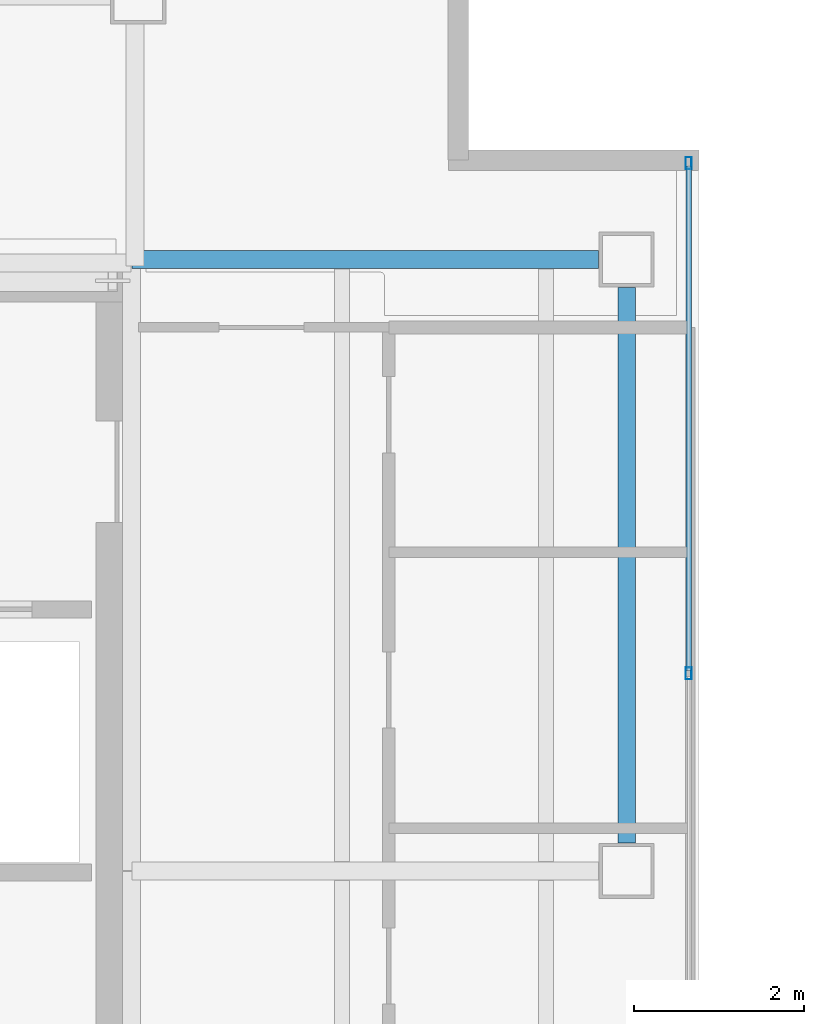
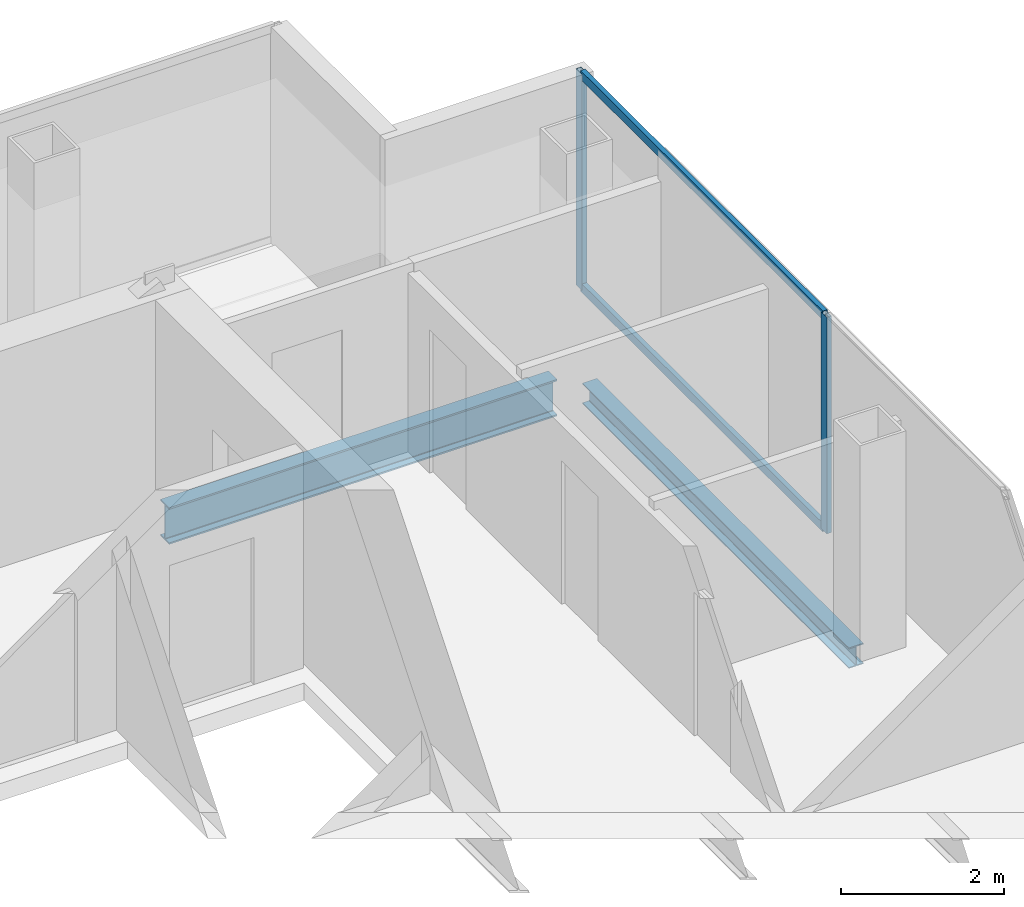
# One storey, part 11 of 23: 4 members, 2 beams, 1 element without a shape of its own.
"""IFC4 building model written with IfcOpenShell, lengths in metres."""

import ifcopenshell
import ifcopenshell.guid

model = None  # the IFC model being written
_history = None  # IfcOwnerHistory: only IFC2X3 demands one
_inside = {}  # id of a spatial element -> (the spatial element, [elements in it])
_under = {}  # id of a project, library or spatial element -> (it, [spatial elements below it])
_declared = {}  # id of a project -> (the project, [libraries it declares])
_typed = {}  # id of a type object -> (the type object, [elements of that type])
_made_of = {}  # id of a material, layer set ... -> (it, [elements and type objects made of it])


def new_model(schema):
    """Start an empty IFC model of exactly this schema.

    Asked for "IFC4X3", IfcOpenShell would pick the latest addendum, in which some entities
    have other attributes; the version numbers below select the first issue.
    IFC2X3 requires an IfcOwnerHistory on every rooted entity: one is made here for all.
    """
    global model, _history
    if schema == "IFC4X3":
        model = ifcopenshell.file(schema_version=(4, 3, 0, 0))
    else:
        model = ifcopenshell.file(schema=schema)
    _inside.clear()
    _under.clear()
    _declared.clear()
    _typed.clear()
    _made_of.clear()
    _history = None
    if model.schema == "IFC2X3":
        org = make("IfcOrganization", Name="unknown")
        user = make(
            "IfcPersonAndOrganization",
            ThePerson=make("IfcPerson", FamilyName="unknown"),
            TheOrganization=org,
        )
        app = make(
            "IfcApplication",
            ApplicationDeveloper=org,
            Version="unknown",
            ApplicationFullName="unknown",
            ApplicationIdentifier="unknown",
        )
        _history = make(
            "IfcOwnerHistory",
            OwningUser=user,
            OwningApplication=app,
            ChangeAction="ADDED",
            CreationDate=0,
        )
    return model


def make(cls, **values):
    """One entity of the class cls with the attributes given. An attribute that is None is left unset."""
    return model.create_entity(
        cls, **{name: value for name, value in values.items() if value is not None}
    )


def rooted(cls, **values):
    """An entity with a GlobalId (a new one), such as an element, a storey or a relation."""
    return make(cls, GlobalId=ifcopenshell.guid.new(), OwnerHistory=_history, **values)


def si_unit(unit_type, name, prefix=None):
    """IfcSIUnit, for example si_unit("LENGTHUNIT", "METRE", prefix="MILLI")."""
    return make("IfcSIUnit", UnitType=unit_type, Prefix=prefix, Name=name)


def assignment(units):
    """IfcUnitAssignment: the units of a project."""
    return None if units is None else make("IfcUnitAssignment", Units=units)


def point(xyz):
    """IfcCartesianPoint."""
    return None if xyz is None else make("IfcCartesianPoint", Coordinates=xyz)


def direction(xyz):
    """IfcDirection."""
    return None if xyz is None else make("IfcDirection", DirectionRatios=xyz)


def frame(location, z_axis=None, x_axis=None):
    """IfcAxis2Placement3D, a coordinate frame: its origin and axes. An axis left out is left unset."""
    return make(
        "IfcAxis2Placement3D",
        Location=point(location),
        Axis=direction(z_axis),
        RefDirection=direction(x_axis),
    )


def frame_2d(location, x_axis=None):
    """IfcAxis2Placement2D, a coordinate frame in the plane: its origin and x axis."""
    return make(
        "IfcAxis2Placement2D", Location=point(location), RefDirection=direction(x_axis)
    )


def origin():
    """The frame at (0, 0, 0) with its axes left unset."""
    return frame((0.0, 0.0, 0.0))


def origin_2d():
    """The frame at (0, 0) in the plane with its x axis left unset."""
    return frame_2d((0.0, 0.0))


def place(relative_to, where):
    """IfcLocalPlacement: puts the frame where relative to a parent placement (None: the world)."""
    return make(
        "IfcLocalPlacement", PlacementRelTo=relative_to, RelativePlacement=where
    )


def context(
    kind, dimensions, precision=None, world=None, true_north=None, identifier=None
):
    """IfcGeometricRepresentationContext, for example the 3D "Model" context."""
    return make(
        "IfcGeometricRepresentationContext",
        ContextIdentifier=identifier,
        ContextType=kind,
        CoordinateSpaceDimension=dimensions,
        Precision=precision,
        WorldCoordinateSystem=world,
        TrueNorth=true_north,
    )


def subcontext(parent, identifier, kind, view, scale=None):
    """IfcGeometricRepresentationSubContext, for example "Body" below "Model"."""
    return make(
        "IfcGeometricRepresentationSubContext",
        ContextIdentifier=identifier,
        ContextType=kind,
        ParentContext=parent,
        TargetScale=scale,
        TargetView=view,
    )


def project(units=None, contexts=None):
    """IfcProject with its units and contexts."""
    return rooted(
        "IfcProject",
        Name="project",
        RepresentationContexts=contexts,
        UnitsInContext=assignment(units),
    )


def spatial(cls, under=None, at=None, **own):
    """A site, building, storey or space (cls), placed at a placement, below another one or the project."""
    s = rooted(cls, ObjectPlacement=at, **own)
    if under is not None:
        _under.setdefault(under.id(), (under, []))[1].append(s)
    return s


def profile(cls, at=None, kind="AREA", **sizes):
    """A parametric profile (cls). Its sizes go by their IFC names, for example OverallWidth=200.0."""
    return make(cls, ProfileType=kind, Position=at, **sizes)


def hollow_rectangle(**sizes):
    """IfcRectangleHollowProfileDef."""
    return profile("IfcRectangleHollowProfileDef", **sizes)


def i_section(**sizes):
    """IfcIShapeProfileDef."""
    return profile("IfcIShapeProfileDef", **sizes)


def extrude(swept, where, along, depth):
    """IfcExtrudedAreaSolid: the profile swept, set in the frame where, extruded along a direction by depth."""
    return make(
        "IfcExtrudedAreaSolid",
        SweptArea=swept,
        Position=where,
        ExtrudedDirection=direction(along),
        Depth=depth,
    )


def shape(context_of_items, identifier, shape_type, items):
    """IfcShapeRepresentation: the items that make up one representation, for example the "Body"."""
    return make(
        "IfcShapeRepresentation",
        ContextOfItems=context_of_items,
        RepresentationIdentifier=identifier,
        RepresentationType=shape_type,
        Items=items,
    )


def material(Name=None, Category=None):
    """IfcMaterial."""
    return make("IfcMaterial", Name=Name, Category=Category)


def material_profile(
    of_material, cross_section, Name=None, Category=None, Priority=None
):
    """IfcMaterialProfile: a cross section and its material."""
    return make(
        "IfcMaterialProfile",
        Name=Name,
        Material=of_material,
        Profile=cross_section,
        Priority=Priority,
        Category=Category,
    )


def profile_set(profiles, Name=None, composite=None):
    """IfcMaterialProfileSet."""
    return make(
        "IfcMaterialProfileSet",
        Name=Name,
        MaterialProfiles=profiles,
        CompositeProfile=composite,
    )


def made_of(thing, what):
    """Note that an element or type object is made of a material, layer set ...; save() writes the relation."""
    if what is not None:
        _made_of.setdefault(what.id(), (what, []))[1].append(thing)
    return thing


def type_object(cls, material=None, **own):
    """A type object (cls), such as IfcWallType, which elements share."""
    return made_of(rooted(cls, **own), material)


def element(
    cls,
    number,
    at=None,
    inside=None,
    cuts=None,
    type_object=None,
    material=None,
    context=None,
    identifier="Body",
    shape_type=None,
    held_by="IfcProductDefinitionShape",
    body=None,
    shapes=None,
    **own,
):
    """One element of the class cls, such as IfcWall. Its Tag is "e" and its number.

    at: its placement. inside: the storey or other place that contains it. cuts: it is an
    opening in that element (IfcRelVoidsElement). A single representation is given by context,
    identifier, shape_type and body (its items); several are given by shapes. held_by: the class
    of the entity that holds the representations. save() writes the other relations.
    """
    e = rooted(cls, Tag="e%d" % number, ObjectPlacement=at, **own)
    if body is not None:
        shapes = [shape(context, identifier, shape_type, body)]
    if shapes is not None:
        e.Representation = make(held_by, Representations=shapes)
    if inside is not None:
        _inside.setdefault(inside.id(), (inside, []))[1].append(e)
    if cuts is not None:
        rooted(
            "IfcRelVoidsElement", RelatingBuildingElement=cuts, RelatedOpeningElement=e
        )
    if type_object is not None:
        _typed.setdefault(type_object.id(), (type_object, []))[1].append(e)
    return made_of(e, material)


def aggregate(whole, parts):
    """IfcRelAggregates: a whole, such as a stair, and the parts it consists of."""
    return rooted("IfcRelAggregates", RelatingObject=whole, RelatedObjects=parts)


def save(model, path):
    """Write the relations noted so far, then the file.

    IfcRelAggregates (storeys below a building ...), IfcRelContainedInSpatialStructure (elements
    in a storey), IfcRelDefinesByType, IfcRelAssociatesMaterial and IfcRelDeclares: one each for
    every whole, place, type object, material and project.
    """
    for whole, parts in _under.values():
        aggregate(whole, parts)
    for where, things in _inside.values():
        rooted(
            "IfcRelContainedInSpatialStructure",
            RelatedElements=things,
            RelatingStructure=where,
        )
    for kind, things in _typed.values():
        rooted("IfcRelDefinesByType", RelatedObjects=things, RelatingType=kind)
    for what, things in _made_of.values():
        rooted("IfcRelAssociatesMaterial", RelatedObjects=things, RelatingMaterial=what)
    for by, libraries in _declared.values():
        rooted("IfcRelDeclares", RelatingContext=by, RelatedDefinitions=libraries)
    model.write(path)


model = new_model("IFC4")

# Units and contexts
model_context = context("Model", 3, precision=1e-05, world=origin(), true_north=direction((0.0, 1.0)))
body_context = subcontext(model_context, "Body", "Model", "MODEL_VIEW")
ifc_project = project(units=[si_unit("LENGTHUNIT", "METRE"), si_unit("AREAUNIT", "SQUARE_METRE"), si_unit("VOLUMEUNIT", "CUBIC_METRE"), si_unit("PLANEANGLEUNIT", "RADIAN"), si_unit("MASSUNIT", "GRAM", prefix="KILO")], contexts=[model_context])

# Site, building, storey
site_placement = place(None, origin())
site = spatial("IfcSite", under=ifc_project, at=site_placement, CompositionType="ELEMENT")
building_placement = place(site_placement, origin())
building = spatial("IfcBuilding", under=site, at=building_placement, Name="Cobrela Telecom Tower", CompositionType="ELEMENT")
storey_placement = place(building_placement, frame((0.0, 0.0, 286.64990234375)))
storey = spatial("IfcBuildingStorey", under=building, at=storey_placement, Name="L75", CompositionType="ELEMENT", Elevation=286.64990234375)

# Beams
ifc_material_1 = material(Name="Steel ASTM A992 Grade 50", Category="steel")
ifc_material_profile_1 = material_profile(ifc_material_1, i_section(OverallWidth=0.212890625, OverallDepth=0.549072265625, WebThickness=0.0146484375, FlangeThickness=0.023681640625, FilletRadius=0.013916015625, at=origin_2d()), Name="W21X93")
ifc_profile_set_1 = profile_set([ifc_material_profile_1], Name="Steel ASTM A992 Grade 50")
beam_type_1 = type_object("IfcBeamType", Name="BM-GIRD-08", PredefinedType="USERDEFINED", material=ifc_profile_set_1)
beam_1_placement = place(storey_placement, frame((14.324951171875, 36.0, -0.534423828125), z_axis=(1.0, 0.0, 0.0), x_axis=(0.0, 1.0, 0.0)))
element("IfcBeam", 1, at=beam_1_placement, inside=storey, type_object=beam_type_1, Name="L75 Primary Girder X18", ObjectType="GIRDER", PredefinedType="USERDEFINED", context=body_context, shape_type="SweptSolid", body=[
    extrude(i_section(OverallWidth=0.212890625, OverallDepth=0.549072265625, WebThickness=0.0146484375, FlangeThickness=0.023681640625, FilletRadius=0.013916015625, at=origin_2d()), origin(), (0.0, 0.0, 1.0), 5.4951171875),
])
ifc_material_profile_2 = material_profile(ifc_material_1, i_section(OverallWidth=0.205078125, OverallDepth=0.31005859375, WebThickness=0.009521484375, FlangeThickness=0.016357421875, FilletRadius=0.010986328125, at=origin_2d()), Name="W12X50")
ifc_profile_set_2 = profile_set([ifc_material_profile_2], Name="Steel ASTM A992 Grade 50")
beam_type_2 = type_object("IfcBeamType", Name="BM-SPAND-07", PredefinedType="SPANDREL", material=ifc_profile_set_2)
beam_2_placement = place(storey_placement, frame((20.14990234375, 29.1298828125, -0.414794921875), z_axis=(0.0, 1.0, 0.0), x_axis=(-1.0, 0.0, 0.0)))
element("IfcBeam", 2, at=beam_2_placement, inside=storey, type_object=beam_type_2, Name="L75 Perimeter Spandrel Y26", PredefinedType="SPANDREL", context=body_context, shape_type="SweptSolid", body=[
    extrude(i_section(OverallWidth=0.205078125, OverallDepth=0.31005859375, WebThickness=0.009521484375, FlangeThickness=0.016357421875, FilletRadius=0.010986328125, at=origin_2d()), origin(), (0.0, 0.0, 1.0), 6.5400390625),
])

# Curtain wall, members
ifc_material_2 = material(Name="Anodized Bronze Aluminium 6063-T6", Category="aluminium")
curtain_wall_type = type_object("IfcCurtainWallType", Name="CW-SYS-OFF-HI", PredefinedType="USERDEFINED", material=ifc_material_2)
curtain_wall_placement = place(storey_placement, origin())
curtain_wall = element("IfcCurtainWall", 3, at=curtain_wall_placement, inside=storey, type_object=curtain_wall_type, Name="L75 Unitised Bronze Curtain Wall 08", ObjectType="UNITISED CURTAIN WALL", PredefinedType="USERDEFINED")
ifc_material_profile_3 = material_profile(ifc_material_2, hollow_rectangle(XDim=0.070068359375, YDim=0.139892578125, WallThickness=0.00390625, at=origin_2d()), Name="ALU 70x140x4")
ifc_profile_set_3 = profile_set([ifc_material_profile_3], Name="Anodized Bronze Aluminium 6063-T6")
member_type_1 = type_object("IfcMemberType", Name="CW-SYS-OFF-HI-MUL", PredefinedType="MULLION", material=ifc_profile_set_3)
member_1_placement = place(storey_placement, frame((20.8798828125, 37.135009765625, 0.0), z_axis=(0.0, 0.0, 1.0), x_axis=(1.0, 0.0, 0.0)))
member_1 = element("IfcMember", 4, at=member_1_placement, type_object=member_type_1, Name="CW-OFF-HI mullion 1", PredefinedType="MULLION", context=body_context, shape_type="SweptSolid", body=[
    extrude(hollow_rectangle(XDim=0.070068359375, YDim=0.139892578125, WallThickness=0.00390625, at=origin_2d()), origin(), (0.0, 0.0, 1.0), 3.239990234375),
])
member_2_placement = place(storey_placement, frame((20.8798828125, 31.125, 0.0), z_axis=(0.0, 0.0, 1.0), x_axis=(1.0, 0.0, 0.0)))
member_2 = element("IfcMember", 5, at=member_2_placement, type_object=member_type_1, Name="CW-OFF-HI mullion 2", PredefinedType="MULLION", context=body_context, shape_type="SweptSolid", body=[
    extrude(hollow_rectangle(XDim=0.070068359375, YDim=0.139892578125, WallThickness=0.00390625, at=origin_2d()), origin(), (0.0, 0.0, 1.0), 3.239990234375),
])
ifc_material_profile_4 = material_profile(ifc_material_2, hollow_rectangle(XDim=0.06494140625, YDim=0.1298828125, WallThickness=0.00390625, at=origin_2d()), Name="ALU 65x130x4")
ifc_profile_set_4 = profile_set([ifc_material_profile_4], Name="Anodized Bronze Aluminium 6063-T6")
member_type_2 = type_object("IfcMemberType", Name="CW-SYS-OFF-HI-TRN", PredefinedType="USERDEFINED", material=ifc_profile_set_4)
member_3_placement = place(storey_placement, frame((20.8798828125, 37.10009765625, 0.03271484375), z_axis=(0.0, -1.0, 0.0), x_axis=(1.0, 0.0, 0.0)))
member_3 = element("IfcMember", 6, at=member_3_placement, type_object=member_type_2, Name="CW-OFF-HI transom 1.1", ObjectType="TRANSOM", PredefinedType="USERDEFINED", context=body_context, shape_type="SweptSolid", body=[
    extrude(hollow_rectangle(XDim=0.06494140625, YDim=0.1298828125, WallThickness=0.00390625, at=origin_2d()), origin(), (0.0, 0.0, 1.0), 5.940185546875),
])
member_4_placement = place(storey_placement, frame((20.8798828125, 37.10009765625, 3.20751953125), z_axis=(0.0, -1.0, 0.0), x_axis=(1.0, 0.0, 0.0)))
member_4 = element("IfcMember", 7, at=member_4_placement, type_object=member_type_2, Name="CW-OFF-HI transom 1.2", ObjectType="TRANSOM", PredefinedType="USERDEFINED", context=body_context, shape_type="SweptSolid", body=[
    extrude(hollow_rectangle(XDim=0.06494140625, YDim=0.1298828125, WallThickness=0.00390625, at=origin_2d()), origin(), (0.0, 0.0, 1.0), 5.940185546875),
])
aggregate(curtain_wall, [member_1, member_2, member_3, member_4])

save(model, "model.ifc")
